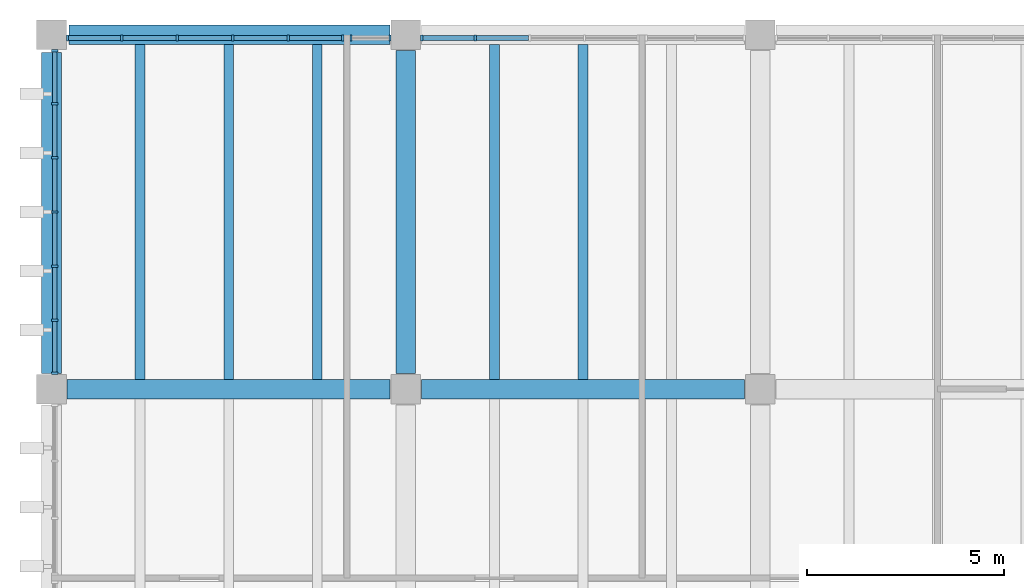
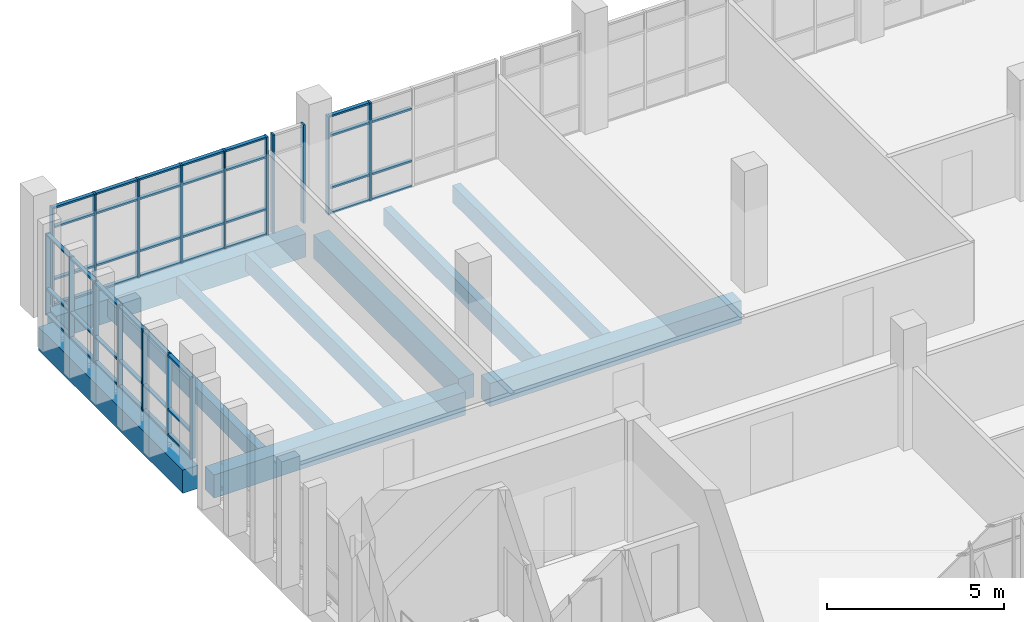
# One storey, part 4 of 14: 62 members, 10 beams, 4 elements without a shape of their own.
"""IFC4 building model written with IfcOpenShell, lengths in metres."""

from ifc_helpers import new_model, si_unit, direction, frame, origin, origin_2d, place, context, subcontext, project, spatial, rectangle, extrude, material, material_profile, profile_set, type_object, element, aggregate, save


model = new_model("IFC4")

# Units and contexts
model_context = context("Model", 3, precision=1e-05, world=origin(), true_north=direction((0.0, 1.0)))
body_context = subcontext(model_context, "Body", "Model", "MODEL_VIEW")
ifc_project = project(units=[si_unit("LENGTHUNIT", "METRE"), si_unit("AREAUNIT", "SQUARE_METRE"), si_unit("VOLUMEUNIT", "CUBIC_METRE"), si_unit("PLANEANGLEUNIT", "RADIAN"), si_unit("MASSUNIT", "GRAM", prefix="KILO")], contexts=[model_context])

# Site, building, storey
site_placement = place(None, origin())
site = spatial("IfcSite", under=ifc_project, at=site_placement, CompositionType="ELEMENT")
building_placement = place(site_placement, origin())
building = spatial("IfcBuilding", under=site, at=building_placement, Name="Merrow Basin Faculty of Sciences", CompositionType="ELEMENT")
storey_placement = place(building_placement, frame((0.0, 0.0, 27.0)))
storey = spatial("IfcBuildingStorey", under=building, at=storey_placement, Name="L06", CompositionType="ELEMENT", Elevation=27.0)

# Curtain wall, members
ifc_material_1 = material(Name="Aluminium alloy 6063", Category="aluminium")
curtain_wall_type = type_object("IfcCurtainWallType", Name="Unitised curtain wall 160", PredefinedType="NOTDEFINED", material=ifc_material_1)
curtain_wall_1_placement = place(storey_placement, origin())
curtain_wall_1 = element("IfcCurtainWall", 1, at=curtain_wall_1_placement, inside=storey, type_object=curtain_wall_type, Name="W curtain wall L06 3", PredefinedType="NOTDEFINED")
ifc_material_2 = material(Name="Aluminium alloy 6063", Category="aluminium")
ifc_material_profile_1 = material_profile(ifc_material_2, rectangle(XDim=0.159912109375, YDim=0.06005859375, at=origin_2d()))
ifc_profile_set_1 = profile_set([ifc_material_profile_1], Name="Aluminium alloy 6063")
member_type_1 = type_object("IfcMemberType", Name="Aluminium mullion 60x160", PredefinedType="MULLION", material=ifc_profile_set_1)
member_1_placement = place(storey_placement, frame((18.080078125, 160.405029296875, 0.0), z_axis=(0.0, 0.0, 1.0), x_axis=(-1.0, 0.0, 0.0)))
member_1 = element("IfcMember", 2, at=member_1_placement, type_object=member_type_1, Name="CW3 mullion 1", PredefinedType="MULLION", context=body_context, shape_type="SweptSolid", body=[
    extrude(rectangle(XDim=0.159912109375, YDim=0.06005859375, at=origin_2d()), origin(), (0.0, 0.0, 1.0), 2.800048828125),
])
member_2_placement = place(storey_placement, frame((18.080078125, 161.75, 0.0), z_axis=(0.0, 0.0, 1.0), x_axis=(-1.0, 0.0, 0.0)))
member_2 = element("IfcMember", 3, at=member_2_placement, type_object=member_type_1, Name="CW3 mullion 2", PredefinedType="MULLION", context=body_context, shape_type="SweptSolid", body=[
    extrude(rectangle(XDim=0.159912109375, YDim=0.06005859375, at=origin_2d()), origin(), (0.0, 0.0, 1.0), 2.800048828125),
])
member_3_placement = place(storey_placement, frame((18.080078125, 163.125, 0.0), z_axis=(0.0, 0.0, 1.0), x_axis=(-1.0, 0.0, 0.0)))
member_3 = element("IfcMember", 4, at=member_3_placement, type_object=member_type_1, Name="CW3 mullion 3", PredefinedType="MULLION", context=body_context, shape_type="SweptSolid", body=[
    extrude(rectangle(XDim=0.159912109375, YDim=0.06005859375, at=origin_2d()), origin(), (0.0, 0.0, 1.0), 2.800048828125),
])
member_4_placement = place(storey_placement, frame((18.080078125, 164.5, 0.0), z_axis=(0.0, 0.0, 1.0), x_axis=(-1.0, 0.0, 0.0)))
member_4 = element("IfcMember", 5, at=member_4_placement, type_object=member_type_1, Name="CW3 mullion 4", PredefinedType="MULLION", context=body_context, shape_type="SweptSolid", body=[
    extrude(rectangle(XDim=0.159912109375, YDim=0.06005859375, at=origin_2d()), origin(), (0.0, 0.0, 1.0), 2.800048828125),
])
member_5_placement = place(storey_placement, frame((18.080078125, 165.875, 0.0), z_axis=(0.0, 0.0, 1.0), x_axis=(-1.0, 0.0, 0.0)))
member_5 = element("IfcMember", 6, at=member_5_placement, type_object=member_type_1, Name="CW3 mullion 5", PredefinedType="MULLION", context=body_context, shape_type="SweptSolid", body=[
    extrude(rectangle(XDim=0.159912109375, YDim=0.06005859375, at=origin_2d()), origin(), (0.0, 0.0, 1.0), 2.800048828125),
])
member_6_placement = place(storey_placement, frame((18.080078125, 167.25, 0.0), z_axis=(0.0, 0.0, 1.0), x_axis=(-1.0, 0.0, 0.0)))
member_6 = element("IfcMember", 7, at=member_6_placement, type_object=member_type_1, Name="CW3 mullion 6", PredefinedType="MULLION", context=body_context, shape_type="SweptSolid", body=[
    extrude(rectangle(XDim=0.159912109375, YDim=0.06005859375, at=origin_2d()), origin(), (0.0, 0.0, 1.0), 2.800048828125),
])
member_7_placement = place(storey_placement, frame((18.080078125, 168.594970703125, 0.0), z_axis=(0.0, 0.0, 1.0), x_axis=(-1.0, 0.0, 0.0)))
member_7 = element("IfcMember", 8, at=member_7_placement, type_object=member_type_1, Name="CW3 mullion 7", PredefinedType="MULLION", context=body_context, shape_type="SweptSolid", body=[
    extrude(rectangle(XDim=0.159912109375, YDim=0.06005859375, at=origin_2d()), origin(), (0.0, 0.0, 1.0), 2.800048828125),
])

curtain_wall_2_placement = place(storey_placement, origin())
curtain_wall_2 = element("IfcCurtainWall", 9, at=curtain_wall_2_placement, inside=storey, type_object=curtain_wall_type, Name="N curtain wall L06 1", PredefinedType="NOTDEFINED")
member_8_placement = place(storey_placement, frame((18.405029296875, 168.919921875, 0.0), z_axis=(0.0, 0.0, 1.0), x_axis=(0.0, 1.0, 0.0)))
member_8 = element("IfcMember", 10, at=member_8_placement, type_object=member_type_1, Name="CW3 mullion 1", PredefinedType="MULLION", context=body_context, shape_type="SweptSolid", body=[
    extrude(rectangle(XDim=0.159912109375, YDim=0.06005859375, at=origin_2d()), origin(), (0.0, 0.0, 1.0), 3.39990234375),
])
member_9_placement = place(storey_placement, frame((19.784912109375, 168.919921875, 0.0), z_axis=(0.0, 0.0, 1.0), x_axis=(0.0, 1.0, 0.0)))
member_9 = element("IfcMember", 11, at=member_9_placement, type_object=member_type_1, Name="CW3 mullion 2", PredefinedType="MULLION", context=body_context, shape_type="SweptSolid", body=[
    extrude(rectangle(XDim=0.159912109375, YDim=0.06005859375, at=origin_2d()), origin(), (0.0, 0.0, 1.0), 3.39990234375),
])
member_10_placement = place(storey_placement, frame((21.195068359375, 168.919921875, 0.0), z_axis=(0.0, 0.0, 1.0), x_axis=(0.0, 1.0, 0.0)))
member_10 = element("IfcMember", 12, at=member_10_placement, type_object=member_type_1, Name="CW3 mullion 3", PredefinedType="MULLION", context=body_context, shape_type="SweptSolid", body=[
    extrude(rectangle(XDim=0.159912109375, YDim=0.06005859375, at=origin_2d()), origin(), (0.0, 0.0, 1.0), 3.39990234375),
])
member_11_placement = place(storey_placement, frame((22.60498046875, 168.919921875, 0.0), z_axis=(0.0, 0.0, 1.0), x_axis=(0.0, 1.0, 0.0)))
member_11 = element("IfcMember", 13, at=member_11_placement, type_object=member_type_1, Name="CW3 mullion 4", PredefinedType="MULLION", context=body_context, shape_type="SweptSolid", body=[
    extrude(rectangle(XDim=0.159912109375, YDim=0.06005859375, at=origin_2d()), origin(), (0.0, 0.0, 1.0), 3.39990234375),
])
member_12_placement = place(storey_placement, frame((24.014892578125, 168.919921875, 0.0), z_axis=(0.0, 0.0, 1.0), x_axis=(0.0, 1.0, 0.0)))
member_12 = element("IfcMember", 14, at=member_12_placement, type_object=member_type_1, Name="CW3 mullion 5", PredefinedType="MULLION", context=body_context, shape_type="SweptSolid", body=[
    extrude(rectangle(XDim=0.159912109375, YDim=0.06005859375, at=origin_2d()), origin(), (0.0, 0.0, 1.0), 3.39990234375),
])
member_13_placement = place(storey_placement, frame((25.39501953125, 168.919921875, 0.0), z_axis=(0.0, 0.0, 1.0), x_axis=(0.0, 1.0, 0.0)))
member_13 = element("IfcMember", 15, at=member_13_placement, type_object=member_type_1, Name="CW3 mullion 6", PredefinedType="MULLION", context=body_context, shape_type="SweptSolid", body=[
    extrude(rectangle(XDim=0.159912109375, YDim=0.06005859375, at=origin_2d()), origin(), (0.0, 0.0, 1.0), 3.39990234375),
])

curtain_wall_3_placement = place(storey_placement, origin())
curtain_wall_3 = element("IfcCurtainWall", 16, at=curtain_wall_3_placement, inside=storey, type_object=curtain_wall_type, Name="N curtain wall L06 2", PredefinedType="NOTDEFINED")
member_14_placement = place(storey_placement, frame((25.60498046875, 168.919921875, 0.0), z_axis=(0.0, 0.0, 1.0), x_axis=(0.0, 1.0, 0.0)))
member_14 = element("IfcMember", 17, at=member_14_placement, type_object=member_type_1, Name="CW3 mullion 1", PredefinedType="MULLION", context=body_context, shape_type="SweptSolid", body=[
    extrude(rectangle(XDim=0.159912109375, YDim=0.06005859375, at=origin_2d()), origin(), (0.0, 0.0, 1.0), 3.39990234375),
])
member_15_placement = place(storey_placement, frame((26.594970703125, 168.919921875, 0.0), z_axis=(0.0, 0.0, 1.0), x_axis=(0.0, 1.0, 0.0)))
member_15 = element("IfcMember", 18, at=member_15_placement, type_object=member_type_1, Name="CW3 mullion 2", PredefinedType="MULLION", context=body_context, shape_type="SweptSolid", body=[
    extrude(rectangle(XDim=0.159912109375, YDim=0.06005859375, at=origin_2d()), origin(), (0.0, 0.0, 1.0), 3.39990234375),
])
aggregate(curtain_wall_3, [member_14, member_15])

curtain_wall_4_placement = place(storey_placement, origin())
curtain_wall_4 = element("IfcCurtainWall", 19, at=curtain_wall_4_placement, inside=storey, type_object=curtain_wall_type, Name="N curtain wall L06 3", PredefinedType="NOTDEFINED")
member_16_placement = place(storey_placement, frame((27.405029296875, 168.919921875, 0.0), z_axis=(0.0, 0.0, 1.0), x_axis=(0.0, 1.0, 0.0)))
member_16 = element("IfcMember", 20, at=member_16_placement, type_object=member_type_1, Name="CW3 mullion 1", PredefinedType="MULLION", context=body_context, shape_type="SweptSolid", body=[
    extrude(rectangle(XDim=0.159912109375, YDim=0.06005859375, at=origin_2d()), origin(), (0.0, 0.0, 1.0), 3.39990234375),
])
member_17_placement = place(storey_placement, frame((28.762451171875, 168.919921875, 0.0), z_axis=(0.0, 0.0, 1.0), x_axis=(0.0, 1.0, 0.0)))
member_17 = element("IfcMember", 21, at=member_17_placement, type_object=member_type_1, Name="CW3 mullion 2", PredefinedType="MULLION", context=body_context, shape_type="SweptSolid", body=[
    extrude(rectangle(XDim=0.159912109375, YDim=0.06005859375, at=origin_2d()), origin(), (0.0, 0.0, 1.0), 3.39990234375),
])

# Member
ifc_material_3 = material(Name="Aluminium alloy 6063", Category="aluminium")
ifc_material_profile_2 = material_profile(ifc_material_3, rectangle(XDim=0.1201171875, YDim=0.06005859375, at=origin_2d()))
ifc_profile_set_2 = profile_set([ifc_material_profile_2], Name="Aluminium alloy 6063")
member_type_2 = type_object("IfcMemberType", Name="Aluminium transom 60x120", PredefinedType="USERDEFINED", material=ifc_profile_set_2)
member_18_placement = place(storey_placement, frame((18.080078125, 160.43505859375, 0.030029296875), z_axis=(0.0, 1.0, 0.0), x_axis=(-1.0, 0.0, 0.0)))
member_18 = element("IfcMember", 22, at=member_18_placement, type_object=member_type_2, Name="CW3 transom 1.1", ObjectType="TRANSOM", PredefinedType="USERDEFINED", context=body_context, shape_type="SweptSolid", body=[
    extrude(rectangle(XDim=0.1201171875, YDim=0.06005859375, at=origin_2d()), origin(), (0.0, 0.0, 1.0), 1.284912109375),
])

member_19_placement = place(storey_placement, frame((18.080078125, 160.43505859375, 0.89990234375), z_axis=(0.0, 1.0, 0.0), x_axis=(-1.0, 0.0, 0.0)))
member_19 = element("IfcMember", 23, at=member_19_placement, type_object=member_type_2, Name="CW3 transom 1.2", ObjectType="TRANSOM", PredefinedType="USERDEFINED", context=body_context, shape_type="SweptSolid", body=[
    extrude(rectangle(XDim=0.1201171875, YDim=0.06005859375, at=origin_2d()), origin(), (0.0, 0.0, 1.0), 1.284912109375),
])

member_20_placement = place(storey_placement, frame((18.080078125, 160.43505859375, 2.77001953125), z_axis=(0.0, 1.0, 0.0), x_axis=(-1.0, 0.0, 0.0)))
member_20 = element("IfcMember", 24, at=member_20_placement, type_object=member_type_2, Name="CW3 transom 1.3", ObjectType="TRANSOM", PredefinedType="USERDEFINED", context=body_context, shape_type="SweptSolid", body=[
    extrude(rectangle(XDim=0.1201171875, YDim=0.06005859375, at=origin_2d()), origin(), (0.0, 0.0, 1.0), 1.284912109375),
])

member_21_placement = place(storey_placement, frame((18.080078125, 161.780029296875, 0.030029296875), z_axis=(0.0, 1.0, 0.0), x_axis=(-1.0, 0.0, 0.0)))
member_21 = element("IfcMember", 25, at=member_21_placement, type_object=member_type_2, Name="CW3 transom 2.1", ObjectType="TRANSOM", PredefinedType="USERDEFINED", context=body_context, shape_type="SweptSolid", body=[
    extrude(rectangle(XDim=0.1201171875, YDim=0.06005859375, at=origin_2d()), origin(), (0.0, 0.0, 1.0), 1.31494140625),
])

member_22_placement = place(storey_placement, frame((18.080078125, 161.780029296875, 0.89990234375), z_axis=(0.0, 1.0, 0.0), x_axis=(-1.0, 0.0, 0.0)))
member_22 = element("IfcMember", 26, at=member_22_placement, type_object=member_type_2, Name="CW3 transom 2.2", ObjectType="TRANSOM", PredefinedType="USERDEFINED", context=body_context, shape_type="SweptSolid", body=[
    extrude(rectangle(XDim=0.1201171875, YDim=0.06005859375, at=origin_2d()), origin(), (0.0, 0.0, 1.0), 1.31494140625),
])

member_23_placement = place(storey_placement, frame((18.080078125, 161.780029296875, 2.77001953125), z_axis=(0.0, 1.0, 0.0), x_axis=(-1.0, 0.0, 0.0)))
member_23 = element("IfcMember", 27, at=member_23_placement, type_object=member_type_2, Name="CW3 transom 2.3", ObjectType="TRANSOM", PredefinedType="USERDEFINED", context=body_context, shape_type="SweptSolid", body=[
    extrude(rectangle(XDim=0.1201171875, YDim=0.06005859375, at=origin_2d()), origin(), (0.0, 0.0, 1.0), 1.31494140625),
])

member_24_placement = place(storey_placement, frame((18.080078125, 163.155029296875, 0.030029296875), z_axis=(0.0, 1.0, 0.0), x_axis=(-1.0, 0.0, 0.0)))
member_24 = element("IfcMember", 28, at=member_24_placement, type_object=member_type_2, Name="CW3 transom 3.1", ObjectType="TRANSOM", PredefinedType="USERDEFINED", context=body_context, shape_type="SweptSolid", body=[
    extrude(rectangle(XDim=0.1201171875, YDim=0.06005859375, at=origin_2d()), origin(), (0.0, 0.0, 1.0), 1.31494140625),
])

member_25_placement = place(storey_placement, frame((18.080078125, 163.155029296875, 0.89990234375), z_axis=(0.0, 1.0, 0.0), x_axis=(-1.0, 0.0, 0.0)))
member_25 = element("IfcMember", 29, at=member_25_placement, type_object=member_type_2, Name="CW3 transom 3.2", ObjectType="TRANSOM", PredefinedType="USERDEFINED", context=body_context, shape_type="SweptSolid", body=[
    extrude(rectangle(XDim=0.1201171875, YDim=0.06005859375, at=origin_2d()), origin(), (0.0, 0.0, 1.0), 1.31494140625),
])

member_26_placement = place(storey_placement, frame((18.080078125, 163.155029296875, 2.77001953125), z_axis=(0.0, 1.0, 0.0), x_axis=(-1.0, 0.0, 0.0)))
member_26 = element("IfcMember", 30, at=member_26_placement, type_object=member_type_2, Name="CW3 transom 3.3", ObjectType="TRANSOM", PredefinedType="USERDEFINED", context=body_context, shape_type="SweptSolid", body=[
    extrude(rectangle(XDim=0.1201171875, YDim=0.06005859375, at=origin_2d()), origin(), (0.0, 0.0, 1.0), 1.31494140625),
])

member_27_placement = place(storey_placement, frame((18.080078125, 164.530029296875, 0.030029296875), z_axis=(0.0, 1.0, 0.0), x_axis=(-1.0, 0.0, 0.0)))
member_27 = element("IfcMember", 31, at=member_27_placement, type_object=member_type_2, Name="CW3 transom 4.1", ObjectType="TRANSOM", PredefinedType="USERDEFINED", context=body_context, shape_type="SweptSolid", body=[
    extrude(rectangle(XDim=0.1201171875, YDim=0.06005859375, at=origin_2d()), origin(), (0.0, 0.0, 1.0), 1.31494140625),
])

member_28_placement = place(storey_placement, frame((18.080078125, 164.530029296875, 0.89990234375), z_axis=(0.0, 1.0, 0.0), x_axis=(-1.0, 0.0, 0.0)))
member_28 = element("IfcMember", 32, at=member_28_placement, type_object=member_type_2, Name="CW3 transom 4.2", ObjectType="TRANSOM", PredefinedType="USERDEFINED", context=body_context, shape_type="SweptSolid", body=[
    extrude(rectangle(XDim=0.1201171875, YDim=0.06005859375, at=origin_2d()), origin(), (0.0, 0.0, 1.0), 1.31494140625),
])

member_29_placement = place(storey_placement, frame((18.080078125, 164.530029296875, 2.77001953125), z_axis=(0.0, 1.0, 0.0), x_axis=(-1.0, 0.0, 0.0)))
member_29 = element("IfcMember", 33, at=member_29_placement, type_object=member_type_2, Name="CW3 transom 4.3", ObjectType="TRANSOM", PredefinedType="USERDEFINED", context=body_context, shape_type="SweptSolid", body=[
    extrude(rectangle(XDim=0.1201171875, YDim=0.06005859375, at=origin_2d()), origin(), (0.0, 0.0, 1.0), 1.31494140625),
])

member_30_placement = place(storey_placement, frame((18.080078125, 165.905029296875, 0.030029296875), z_axis=(0.0, 1.0, 0.0), x_axis=(-1.0, 0.0, 0.0)))
member_30 = element("IfcMember", 34, at=member_30_placement, type_object=member_type_2, Name="CW3 transom 5.1", ObjectType="TRANSOM", PredefinedType="USERDEFINED", context=body_context, shape_type="SweptSolid", body=[
    extrude(rectangle(XDim=0.1201171875, YDim=0.06005859375, at=origin_2d()), origin(), (0.0, 0.0, 1.0), 1.31494140625),
])

member_31_placement = place(storey_placement, frame((18.080078125, 165.905029296875, 0.89990234375), z_axis=(0.0, 1.0, 0.0), x_axis=(-1.0, 0.0, 0.0)))
member_31 = element("IfcMember", 35, at=member_31_placement, type_object=member_type_2, Name="CW3 transom 5.2", ObjectType="TRANSOM", PredefinedType="USERDEFINED", context=body_context, shape_type="SweptSolid", body=[
    extrude(rectangle(XDim=0.1201171875, YDim=0.06005859375, at=origin_2d()), origin(), (0.0, 0.0, 1.0), 1.31494140625),
])

member_32_placement = place(storey_placement, frame((18.080078125, 165.905029296875, 2.77001953125), z_axis=(0.0, 1.0, 0.0), x_axis=(-1.0, 0.0, 0.0)))
member_32 = element("IfcMember", 36, at=member_32_placement, type_object=member_type_2, Name="CW3 transom 5.3", ObjectType="TRANSOM", PredefinedType="USERDEFINED", context=body_context, shape_type="SweptSolid", body=[
    extrude(rectangle(XDim=0.1201171875, YDim=0.06005859375, at=origin_2d()), origin(), (0.0, 0.0, 1.0), 1.31494140625),
])

member_33_placement = place(storey_placement, frame((18.080078125, 167.280029296875, 0.030029296875), z_axis=(0.0, 1.0, 0.0), x_axis=(-1.0, 0.0, 0.0)))
member_33 = element("IfcMember", 37, at=member_33_placement, type_object=member_type_2, Name="CW3 transom 6.1", ObjectType="TRANSOM", PredefinedType="USERDEFINED", context=body_context, shape_type="SweptSolid", body=[
    extrude(rectangle(XDim=0.1201171875, YDim=0.06005859375, at=origin_2d()), origin(), (0.0, 0.0, 1.0), 1.284912109375),
])

member_34_placement = place(storey_placement, frame((18.080078125, 167.280029296875, 0.89990234375), z_axis=(0.0, 1.0, 0.0), x_axis=(-1.0, 0.0, 0.0)))
member_34 = element("IfcMember", 38, at=member_34_placement, type_object=member_type_2, Name="CW3 transom 6.2", ObjectType="TRANSOM", PredefinedType="USERDEFINED", context=body_context, shape_type="SweptSolid", body=[
    extrude(rectangle(XDim=0.1201171875, YDim=0.06005859375, at=origin_2d()), origin(), (0.0, 0.0, 1.0), 1.284912109375),
])

member_35_placement = place(storey_placement, frame((18.080078125, 167.280029296875, 2.77001953125), z_axis=(0.0, 1.0, 0.0), x_axis=(-1.0, 0.0, 0.0)))
member_35 = element("IfcMember", 39, at=member_35_placement, type_object=member_type_2, Name="CW3 transom 6.3", ObjectType="TRANSOM", PredefinedType="USERDEFINED", context=body_context, shape_type="SweptSolid", body=[
    extrude(rectangle(XDim=0.1201171875, YDim=0.06005859375, at=origin_2d()), origin(), (0.0, 0.0, 1.0), 1.284912109375),
])

aggregate(curtain_wall_1, [member_1, member_2, member_3, member_4, member_5, member_6, member_7, member_18, member_19, member_20, member_21, member_22, member_23, member_24, member_25, member_26, member_27, member_28, member_29, member_30, member_31, member_32, member_33, member_34, member_35])

member_36_placement = place(storey_placement, frame((18.43505859375, 168.919921875, 0.030029296875), z_axis=(1.0, 0.0, 0.0), x_axis=(0.0, 1.0, 0.0)))
member_36 = element("IfcMember", 40, at=member_36_placement, type_object=member_type_2, Name="CW3 transom 1.1", ObjectType="TRANSOM", PredefinedType="USERDEFINED", context=body_context, shape_type="SweptSolid", body=[
    extrude(rectangle(XDim=0.1201171875, YDim=0.06005859375, at=origin_2d()), origin(), (0.0, 0.0, 1.0), 1.31982421875),
])

member_37_placement = place(storey_placement, frame((18.43505859375, 168.919921875, 0.89990234375), z_axis=(1.0, 0.0, 0.0), x_axis=(0.0, 1.0, 0.0)))
member_37 = element("IfcMember", 41, at=member_37_placement, type_object=member_type_2, Name="CW3 transom 1.2", ObjectType="TRANSOM", PredefinedType="USERDEFINED", context=body_context, shape_type="SweptSolid", body=[
    extrude(rectangle(XDim=0.1201171875, YDim=0.06005859375, at=origin_2d()), origin(), (0.0, 0.0, 1.0), 1.31982421875),
])

member_38_placement = place(storey_placement, frame((18.43505859375, 168.919921875, 2.699951171875), z_axis=(1.0, 0.0, 0.0), x_axis=(0.0, 1.0, 0.0)))
member_38 = element("IfcMember", 42, at=member_38_placement, type_object=member_type_2, Name="CW3 transom 1.3", ObjectType="TRANSOM", PredefinedType="USERDEFINED", context=body_context, shape_type="SweptSolid", body=[
    extrude(rectangle(XDim=0.1201171875, YDim=0.06005859375, at=origin_2d()), origin(), (0.0, 0.0, 1.0), 1.31982421875),
])

member_39_placement = place(storey_placement, frame((18.43505859375, 168.919921875, 3.3701171875), z_axis=(1.0, 0.0, 0.0), x_axis=(0.0, 1.0, 0.0)))
member_39 = element("IfcMember", 43, at=member_39_placement, type_object=member_type_2, Name="CW3 transom 1.4", ObjectType="TRANSOM", PredefinedType="USERDEFINED", context=body_context, shape_type="SweptSolid", body=[
    extrude(rectangle(XDim=0.1201171875, YDim=0.06005859375, at=origin_2d()), origin(), (0.0, 0.0, 1.0), 1.31982421875),
])

member_40_placement = place(storey_placement, frame((19.81494140625, 168.919921875, 0.030029296875), z_axis=(1.0, 0.0, 0.0), x_axis=(0.0, 1.0, 0.0)))
member_40 = element("IfcMember", 44, at=member_40_placement, type_object=member_type_2, Name="CW3 transom 2.1", ObjectType="TRANSOM", PredefinedType="USERDEFINED", context=body_context, shape_type="SweptSolid", body=[
    extrude(rectangle(XDim=0.1201171875, YDim=0.06005859375, at=origin_2d()), origin(), (0.0, 0.0, 1.0), 1.35009765625),
])

member_41_placement = place(storey_placement, frame((19.81494140625, 168.919921875, 0.89990234375), z_axis=(1.0, 0.0, 0.0), x_axis=(0.0, 1.0, 0.0)))
member_41 = element("IfcMember", 45, at=member_41_placement, type_object=member_type_2, Name="CW3 transom 2.2", ObjectType="TRANSOM", PredefinedType="USERDEFINED", context=body_context, shape_type="SweptSolid", body=[
    extrude(rectangle(XDim=0.1201171875, YDim=0.06005859375, at=origin_2d()), origin(), (0.0, 0.0, 1.0), 1.35009765625),
])

member_42_placement = place(storey_placement, frame((19.81494140625, 168.919921875, 2.699951171875), z_axis=(1.0, 0.0, 0.0), x_axis=(0.0, 1.0, 0.0)))
member_42 = element("IfcMember", 46, at=member_42_placement, type_object=member_type_2, Name="CW3 transom 2.3", ObjectType="TRANSOM", PredefinedType="USERDEFINED", context=body_context, shape_type="SweptSolid", body=[
    extrude(rectangle(XDim=0.1201171875, YDim=0.06005859375, at=origin_2d()), origin(), (0.0, 0.0, 1.0), 1.35009765625),
])

member_43_placement = place(storey_placement, frame((19.81494140625, 168.919921875, 3.3701171875), z_axis=(1.0, 0.0, 0.0), x_axis=(0.0, 1.0, 0.0)))
member_43 = element("IfcMember", 47, at=member_43_placement, type_object=member_type_2, Name="CW3 transom 2.4", ObjectType="TRANSOM", PredefinedType="USERDEFINED", context=body_context, shape_type="SweptSolid", body=[
    extrude(rectangle(XDim=0.1201171875, YDim=0.06005859375, at=origin_2d()), origin(), (0.0, 0.0, 1.0), 1.35009765625),
])

member_44_placement = place(storey_placement, frame((21.22509765625, 168.919921875, 0.030029296875), z_axis=(1.0, 0.0, 0.0), x_axis=(0.0, 1.0, 0.0)))
member_44 = element("IfcMember", 48, at=member_44_placement, type_object=member_type_2, Name="CW3 transom 3.1", ObjectType="TRANSOM", PredefinedType="USERDEFINED", context=body_context, shape_type="SweptSolid", body=[
    extrude(rectangle(XDim=0.1201171875, YDim=0.06005859375, at=origin_2d()), origin(), (0.0, 0.0, 1.0), 1.349853515625),
])

member_45_placement = place(storey_placement, frame((21.22509765625, 168.919921875, 0.89990234375), z_axis=(1.0, 0.0, 0.0), x_axis=(0.0, 1.0, 0.0)))
member_45 = element("IfcMember", 49, at=member_45_placement, type_object=member_type_2, Name="CW3 transom 3.2", ObjectType="TRANSOM", PredefinedType="USERDEFINED", context=body_context, shape_type="SweptSolid", body=[
    extrude(rectangle(XDim=0.1201171875, YDim=0.06005859375, at=origin_2d()), origin(), (0.0, 0.0, 1.0), 1.349853515625),
])

member_46_placement = place(storey_placement, frame((21.22509765625, 168.919921875, 2.699951171875), z_axis=(1.0, 0.0, 0.0), x_axis=(0.0, 1.0, 0.0)))
member_46 = element("IfcMember", 50, at=member_46_placement, type_object=member_type_2, Name="CW3 transom 3.3", ObjectType="TRANSOM", PredefinedType="USERDEFINED", context=body_context, shape_type="SweptSolid", body=[
    extrude(rectangle(XDim=0.1201171875, YDim=0.06005859375, at=origin_2d()), origin(), (0.0, 0.0, 1.0), 1.349853515625),
])

member_47_placement = place(storey_placement, frame((21.22509765625, 168.919921875, 3.3701171875), z_axis=(1.0, 0.0, 0.0), x_axis=(0.0, 1.0, 0.0)))
member_47 = element("IfcMember", 51, at=member_47_placement, type_object=member_type_2, Name="CW3 transom 3.4", ObjectType="TRANSOM", PredefinedType="USERDEFINED", context=body_context, shape_type="SweptSolid", body=[
    extrude(rectangle(XDim=0.1201171875, YDim=0.06005859375, at=origin_2d()), origin(), (0.0, 0.0, 1.0), 1.349853515625),
])

member_48_placement = place(storey_placement, frame((22.635009765625, 168.919921875, 0.030029296875), z_axis=(1.0, 0.0, 0.0), x_axis=(0.0, 1.0, 0.0)))
member_48 = element("IfcMember", 52, at=member_48_placement, type_object=member_type_2, Name="CW3 transom 4.1", ObjectType="TRANSOM", PredefinedType="USERDEFINED", context=body_context, shape_type="SweptSolid", body=[
    extrude(rectangle(XDim=0.1201171875, YDim=0.06005859375, at=origin_2d()), origin(), (0.0, 0.0, 1.0), 1.35009765625),
])

member_49_placement = place(storey_placement, frame((22.635009765625, 168.919921875, 0.89990234375), z_axis=(1.0, 0.0, 0.0), x_axis=(0.0, 1.0, 0.0)))
member_49 = element("IfcMember", 53, at=member_49_placement, type_object=member_type_2, Name="CW3 transom 4.2", ObjectType="TRANSOM", PredefinedType="USERDEFINED", context=body_context, shape_type="SweptSolid", body=[
    extrude(rectangle(XDim=0.1201171875, YDim=0.06005859375, at=origin_2d()), origin(), (0.0, 0.0, 1.0), 1.35009765625),
])

member_50_placement = place(storey_placement, frame((22.635009765625, 168.919921875, 2.699951171875), z_axis=(1.0, 0.0, 0.0), x_axis=(0.0, 1.0, 0.0)))
member_50 = element("IfcMember", 54, at=member_50_placement, type_object=member_type_2, Name="CW3 transom 4.3", ObjectType="TRANSOM", PredefinedType="USERDEFINED", context=body_context, shape_type="SweptSolid", body=[
    extrude(rectangle(XDim=0.1201171875, YDim=0.06005859375, at=origin_2d()), origin(), (0.0, 0.0, 1.0), 1.35009765625),
])

member_51_placement = place(storey_placement, frame((22.635009765625, 168.919921875, 3.3701171875), z_axis=(1.0, 0.0, 0.0), x_axis=(0.0, 1.0, 0.0)))
member_51 = element("IfcMember", 55, at=member_51_placement, type_object=member_type_2, Name="CW3 transom 4.4", ObjectType="TRANSOM", PredefinedType="USERDEFINED", context=body_context, shape_type="SweptSolid", body=[
    extrude(rectangle(XDim=0.1201171875, YDim=0.06005859375, at=origin_2d()), origin(), (0.0, 0.0, 1.0), 1.35009765625),
])

member_52_placement = place(storey_placement, frame((24.044921875, 168.919921875, 0.030029296875), z_axis=(1.0, 0.0, 0.0), x_axis=(0.0, 1.0, 0.0)))
member_52 = element("IfcMember", 56, at=member_52_placement, type_object=member_type_2, Name="CW3 transom 5.1", ObjectType="TRANSOM", PredefinedType="USERDEFINED", context=body_context, shape_type="SweptSolid", body=[
    extrude(rectangle(XDim=0.1201171875, YDim=0.06005859375, at=origin_2d()), origin(), (0.0, 0.0, 1.0), 1.320068359375),
])

member_53_placement = place(storey_placement, frame((24.044921875, 168.919921875, 0.89990234375), z_axis=(1.0, 0.0, 0.0), x_axis=(0.0, 1.0, 0.0)))
member_53 = element("IfcMember", 57, at=member_53_placement, type_object=member_type_2, Name="CW3 transom 5.2", ObjectType="TRANSOM", PredefinedType="USERDEFINED", context=body_context, shape_type="SweptSolid", body=[
    extrude(rectangle(XDim=0.1201171875, YDim=0.06005859375, at=origin_2d()), origin(), (0.0, 0.0, 1.0), 1.320068359375),
])

member_54_placement = place(storey_placement, frame((24.044921875, 168.919921875, 2.699951171875), z_axis=(1.0, 0.0, 0.0), x_axis=(0.0, 1.0, 0.0)))
member_54 = element("IfcMember", 58, at=member_54_placement, type_object=member_type_2, Name="CW3 transom 5.3", ObjectType="TRANSOM", PredefinedType="USERDEFINED", context=body_context, shape_type="SweptSolid", body=[
    extrude(rectangle(XDim=0.1201171875, YDim=0.06005859375, at=origin_2d()), origin(), (0.0, 0.0, 1.0), 1.320068359375),
])

member_55_placement = place(storey_placement, frame((24.044921875, 168.919921875, 3.3701171875), z_axis=(1.0, 0.0, 0.0), x_axis=(0.0, 1.0, 0.0)))
member_55 = element("IfcMember", 59, at=member_55_placement, type_object=member_type_2, Name="CW3 transom 5.4", ObjectType="TRANSOM", PredefinedType="USERDEFINED", context=body_context, shape_type="SweptSolid", body=[
    extrude(rectangle(XDim=0.1201171875, YDim=0.06005859375, at=origin_2d()), origin(), (0.0, 0.0, 1.0), 1.320068359375),
])

aggregate(curtain_wall_2, [member_8, member_9, member_10, member_11, member_12, member_13, member_36, member_37, member_38, member_39, member_40, member_41, member_42, member_43, member_44, member_45, member_46, member_47, member_48, member_49, member_50, member_51, member_52, member_53, member_54, member_55])

member_56_placement = place(storey_placement, frame((27.43505859375, 168.919921875, 0.030029296875), z_axis=(1.0, 0.0, 0.0), x_axis=(0.0, 1.0, 0.0)))
member_56 = element("IfcMember", 60, at=member_56_placement, type_object=member_type_2, Name="CW3 transom 1.1", ObjectType="TRANSOM", PredefinedType="USERDEFINED", context=body_context, shape_type="SweptSolid", body=[
    extrude(rectangle(XDim=0.1201171875, YDim=0.06005859375, at=origin_2d()), origin(), (0.0, 0.0, 1.0), 1.29736328125),
])

member_57_placement = place(storey_placement, frame((27.43505859375, 168.919921875, 0.89990234375), z_axis=(1.0, 0.0, 0.0), x_axis=(0.0, 1.0, 0.0)))
member_57 = element("IfcMember", 61, at=member_57_placement, type_object=member_type_2, Name="CW3 transom 1.2", ObjectType="TRANSOM", PredefinedType="USERDEFINED", context=body_context, shape_type="SweptSolid", body=[
    extrude(rectangle(XDim=0.1201171875, YDim=0.06005859375, at=origin_2d()), origin(), (0.0, 0.0, 1.0), 1.29736328125),
])

member_58_placement = place(storey_placement, frame((27.43505859375, 168.919921875, 2.699951171875), z_axis=(1.0, 0.0, 0.0), x_axis=(0.0, 1.0, 0.0)))
member_58 = element("IfcMember", 62, at=member_58_placement, type_object=member_type_2, Name="CW3 transom 1.3", ObjectType="TRANSOM", PredefinedType="USERDEFINED", context=body_context, shape_type="SweptSolid", body=[
    extrude(rectangle(XDim=0.1201171875, YDim=0.06005859375, at=origin_2d()), origin(), (0.0, 0.0, 1.0), 1.29736328125),
])

member_59_placement = place(storey_placement, frame((27.43505859375, 168.919921875, 3.3701171875), z_axis=(1.0, 0.0, 0.0), x_axis=(0.0, 1.0, 0.0)))
member_59 = element("IfcMember", 63, at=member_59_placement, type_object=member_type_2, Name="CW3 transom 1.4", ObjectType="TRANSOM", PredefinedType="USERDEFINED", context=body_context, shape_type="SweptSolid", body=[
    extrude(rectangle(XDim=0.1201171875, YDim=0.06005859375, at=origin_2d()), origin(), (0.0, 0.0, 1.0), 1.29736328125),
])

member_60_placement = place(storey_placement, frame((28.79248046875, 168.919921875, 0.030029296875), z_axis=(1.0, 0.0, 0.0), x_axis=(0.0, 1.0, 0.0)))
member_60 = element("IfcMember", 64, at=member_60_placement, type_object=member_type_2, Name="CW3 transom 2.1", ObjectType="TRANSOM", PredefinedType="USERDEFINED", context=body_context, shape_type="SweptSolid", body=[
    extrude(rectangle(XDim=0.1201171875, YDim=0.06005859375, at=origin_2d()), origin(), (0.0, 0.0, 1.0), 1.32763671875),
])

member_61_placement = place(storey_placement, frame((28.79248046875, 168.919921875, 0.89990234375), z_axis=(1.0, 0.0, 0.0), x_axis=(0.0, 1.0, 0.0)))
member_61 = element("IfcMember", 65, at=member_61_placement, type_object=member_type_2, Name="CW3 transom 2.2", ObjectType="TRANSOM", PredefinedType="USERDEFINED", context=body_context, shape_type="SweptSolid", body=[
    extrude(rectangle(XDim=0.1201171875, YDim=0.06005859375, at=origin_2d()), origin(), (0.0, 0.0, 1.0), 1.32763671875),
])

member_62_placement = place(storey_placement, frame((28.79248046875, 168.919921875, 2.699951171875), z_axis=(1.0, 0.0, 0.0), x_axis=(0.0, 1.0, 0.0)))
member_62 = element("IfcMember", 66, at=member_62_placement, type_object=member_type_2, Name="CW3 transom 2.3", ObjectType="TRANSOM", PredefinedType="USERDEFINED", context=body_context, shape_type="SweptSolid", body=[
    extrude(rectangle(XDim=0.1201171875, YDim=0.06005859375, at=origin_2d()), origin(), (0.0, 0.0, 1.0), 1.32763671875),
])

aggregate(curtain_wall_4, [member_16, member_17, member_56, member_57, member_58, member_59, member_60, member_61, member_62])

# Beams
ifc_material_4 = material(Name="Concrete C40/50", Category="concrete")
ifc_material_profile_3 = material_profile(ifc_material_4, rectangle(XDim=0.5, YDim=0.800048828125, at=origin_2d()))
ifc_profile_set_3 = profile_set([ifc_material_profile_3], Name="Concrete C40/50")
beam_type_1 = type_object("IfcBeamType", Name="Beam RC500x800 C40/50", PredefinedType="BEAM", material=ifc_profile_set_3)
for number, where, z_axis, x_axis, name in (
    (67, (18.39990234375, 160.0, -0.699951171875), (1.0, 0.0, 0.0), (0.0, 1.0, 0.0), "B4 L06 006"),
    (68, (27.39990234375, 160.0, -0.699951171875), (1.0, 0.0, 0.0), (0.0, 1.0, 0.0), "B4 L06 007"),
):
    element("IfcBeam", number, at=place(storey_placement, frame(where, z_axis=z_axis, x_axis=x_axis)), inside=storey, type_object=beam_type_1, Name=name, PredefinedType="BEAM", context=body_context, shape_type="SweptSolid", body=[
        extrude(rectangle(XDim=0.5, YDim=0.800048828125, at=origin_2d()), origin(), (0.0, 0.0, 1.0), 8.2001953125),
    ])
for number, where, z_axis, x_axis, name in (
    (69, (18.449951171875, 169.0, -0.699951171875), (1.0, 0.0, 0.0), (0.0, 1.0, 0.0), "B4 L06 009"),
    (70, (18.0, 160.39990234375, -0.699951171875), (0.0, 1.0, 0.0), (-1.0, 0.0, 0.0), "B4 L06 014"),
):
    element("IfcBeam", number, at=place(storey_placement, frame(where, z_axis=z_axis, x_axis=x_axis)), inside=storey, type_object=beam_type_1, Name=name, PredefinedType="BEAM", context=body_context, shape_type="SweptSolid", body=[
        extrude(rectangle(XDim=0.5, YDim=0.800048828125, at=origin_2d()), origin(), (0.0, 0.0, 1.0), 8.150146484375),
    ])
beam_placement = place(storey_placement, frame((27.0, 160.39990234375, -0.699951171875), z_axis=(0.0, 1.0, 0.0), x_axis=(-1.0, 0.0, 0.0)))
element("IfcBeam", 71, at=beam_placement, inside=storey, type_object=beam_type_1, Name="B4 L06 016", PredefinedType="BEAM", context=body_context, shape_type="SweptSolid", body=[
    extrude(rectangle(XDim=0.5, YDim=0.800048828125, at=origin_2d()), origin(), (0.0, 0.0, 1.0), 8.2001953125),
])
ifc_material_5 = material(Name="Concrete C40/50", Category="concrete")
ifc_material_profile_4 = material_profile(ifc_material_5, rectangle(XDim=0.25, YDim=0.60009765625, at=origin_2d()))
ifc_profile_set_4 = profile_set([ifc_material_profile_4], Name="Concrete C40/50")
beam_type_2 = type_object("IfcBeamType", Name="Tower floor joist RC250x600 C40/50", PredefinedType="BEAM", material=ifc_profile_set_4)
for number, where, z_axis, x_axis, name in (
    (72, (20.25, 160.25, -0.60009765625), (0.0, 1.0, 0.0), (-1.0, 0.0, 0.0), "JT1 L06 029"),
    (73, (22.5, 160.25, -0.60009765625), (0.0, 1.0, 0.0), (-1.0, 0.0, 0.0), "JT1 L06 030"),
    (74, (24.75, 160.25, -0.60009765625), (0.0, 1.0, 0.0), (-1.0, 0.0, 0.0), "JT1 L06 031"),
    (75, (29.25, 160.25, -0.60009765625), (0.0, 1.0, 0.0), (-1.0, 0.0, 0.0), "JT1 L06 038"),
    (76, (31.5, 160.25, -0.60009765625), (0.0, 1.0, 0.0), (-1.0, 0.0, 0.0), "JT1 L06 039"),
):
    element("IfcBeam", number, at=place(storey_placement, frame(where, z_axis=z_axis, x_axis=x_axis)), inside=storey, type_object=beam_type_2, Name=name, PredefinedType="BEAM", context=body_context, shape_type="SweptSolid", body=[
        extrude(rectangle(XDim=0.25, YDim=0.60009765625, at=origin_2d()), origin(), (0.0, 0.0, 1.0), 8.5),
    ])

save(model, "model.ifc")
